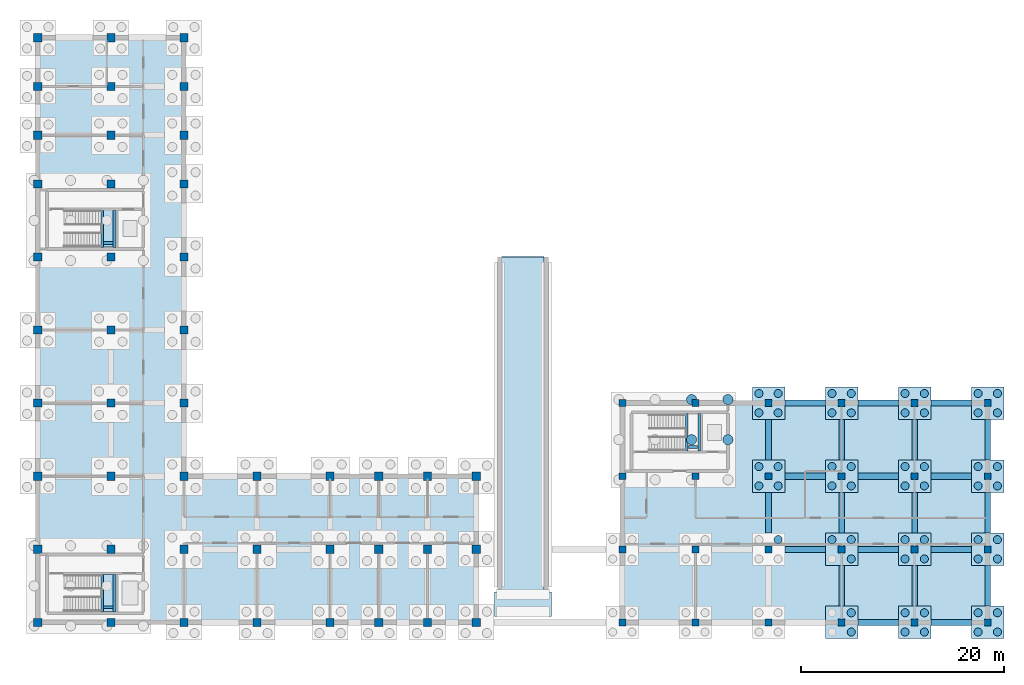
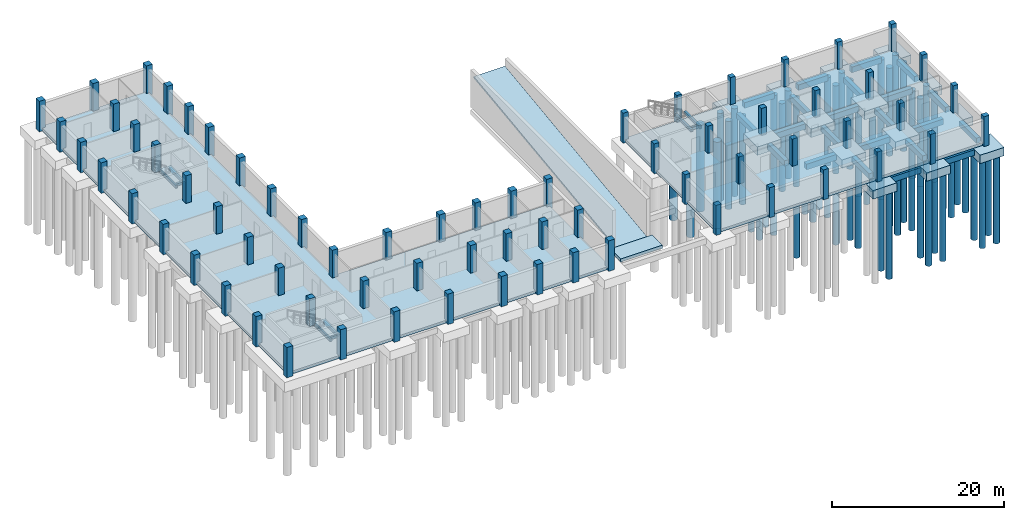
# One storey, part 3 of 10: 69 columns, 58 piles, 36 footings, 9 beams, 6 slabs, 2 elements without a shape of their own.
"""IFC4 building model written with IfcOpenShell, lengths in metres."""

from ifc_helpers import new_model, si_unit, direction, frame, origin, origin_2d, place, context, subcontext, project, spatial, polyline, rectangle, circle, outline, extrude, material, layer, layer_set, material_profile, profile_set, type_object, element, aggregate, save


model = new_model("IFC4")

# Units and contexts
model_context = context("Model", 3, precision=1e-05, world=origin(), true_north=direction((0.0, 1.0)))
body_context = subcontext(model_context, "Body", "Model", "MODEL_VIEW")
ifc_project = project(units=[si_unit("LENGTHUNIT", "METRE"), si_unit("AREAUNIT", "SQUARE_METRE"), si_unit("VOLUMEUNIT", "CUBIC_METRE"), si_unit("PLANEANGLEUNIT", "RADIAN"), si_unit("MASSUNIT", "GRAM", prefix="KILO")], contexts=[model_context])

# Site, building, storey
site_placement = place(None, origin())
site = spatial("IfcSite", under=ifc_project, at=site_placement, CompositionType="ELEMENT")
building_placement = place(site_placement, origin())
building = spatial("IfcBuilding", under=site, at=building_placement, Name="Zornivar Specialist Clinic", CompositionType="ELEMENT")
storey_placement = place(building_placement, frame((0.0, 0.0, -4.199951171875)))
storey = spatial("IfcBuildingStorey", under=building, at=storey_placement, Name="B1", CompositionType="ELEMENT", Elevation=-4.199951171875)

# Footings
ifc_material_1 = material(Name="Concrete C30/37", Category="concrete")
ifc_material_profile_1 = material_profile(ifc_material_1, rectangle(XDim=0.550048828125, YDim=0.75, at=origin_2d()), Name="RC 550x750")
ifc_profile_set_1 = profile_set([ifc_material_profile_1], Name="Concrete C30/37")
footing_type_1 = type_object("IfcFootingType", Name="FTG-GB-550x750", PredefinedType="FOOTING_BEAM", material=ifc_profile_set_1)
for number, where, z_axis, x_axis, name in (
    (1, (72.0, 8.800048828125, -0.775146484375), (0.0, 1.0, 0.0), (-1.0, 0.0, 0.0), "gb:B1:y:720:88"),
    (2, (72.0, 16.0, -0.775146484375), (0.0, 1.0, 0.0), (-1.0, 0.0, 0.0), "gb:B1:y:720:160"),
    (3, (79.199951171875, 1.60009765625, -0.775146484375), (0.0, 1.0, 0.0), (-1.0, 0.0, 0.0), "gb:B1:y:792:16"),
    (4, (79.199951171875, 8.800048828125, -0.775146484375), (0.0, 1.0, 0.0), (-1.0, 0.0, 0.0), "gb:B1:y:792:88"),
    (5, (79.199951171875, 16.0, -0.775146484375), (0.0, 1.0, 0.0), (-1.0, 0.0, 0.0), "gb:B1:y:792:160"),
    (6, (86.39990234375, 1.60009765625, -0.775146484375), (0.0, 1.0, 0.0), (-1.0, 0.0, 0.0), "gb:B1:y:864:16"),
    (7, (86.39990234375, 8.800048828125, -0.775146484375), (0.0, 1.0, 0.0), (-1.0, 0.0, 0.0), "gb:B1:y:864:88"),
    (8, (86.39990234375, 16.0, -0.775146484375), (0.0, 1.0, 0.0), (-1.0, 0.0, 0.0), "gb:B1:y:864:160"),
    (9, (93.60009765625, 1.60009765625, -0.775146484375), (0.0, 1.0, 0.0), (-1.0, 0.0, 0.0), "gb:B1:y:936:16"),
    (10, (93.60009765625, 8.800048828125, -0.775146484375), (0.0, 1.0, 0.0), (-1.0, 0.0, 0.0), "gb:B1:y:936:88"),
    (11, (93.60009765625, 16.0, -0.775146484375), (0.0, 1.0, 0.0), (-1.0, 0.0, 0.0), "gb:B1:y:936:160"),
):
    element("IfcFooting", number, at=place(storey_placement, frame(where, z_axis=z_axis, x_axis=x_axis)), inside=storey, type_object=footing_type_1, Name=name, PredefinedType="FOOTING_BEAM", context=body_context, shape_type="SweptSolid", body=[
        extrude(rectangle(XDim=0.550048828125, YDim=0.75, at=origin_2d()), origin(), (0.0, 0.0, 1.0), 4.0),
    ])
ifc_material_2 = material(Name="Concrete C30/37", Category="concrete")
ifc_material_profile_2 = material_profile(ifc_material_2, rectangle(XDim=0.60009765625, YDim=0.800048828125, at=origin_2d()), Name="RC 600x800")
ifc_profile_set_2 = profile_set([ifc_material_profile_2], Name="Concrete C30/37")
footing_type_2 = type_object("IfcFootingType", Name="FTG-GB-600x800", PredefinedType="FOOTING_BEAM", material=ifc_profile_set_2)
for number, where, z_axis, x_axis, name in (
    (12, (80.800048828125, 0.0, -0.800048828125), (1.0, 0.0, 0.0), (0.0, 1.0, 0.0), "gb:B1:x:0:808"),
    (13, (88.0, 0.0, -0.800048828125), (1.0, 0.0, 0.0), (0.0, 1.0, 0.0), "gb:B1:x:0:880"),
    (14, (73.60009765625, 7.199951171875, -0.800048828125), (1.0, 0.0, 0.0), (0.0, 1.0, 0.0), "gb:B1:x:72:736"),
    (15, (80.800048828125, 7.199951171875, -0.800048828125), (1.0, 0.0, 0.0), (0.0, 1.0, 0.0), "gb:B1:x:72:808"),
    (16, (88.0, 7.199951171875, -0.800048828125), (1.0, 0.0, 0.0), (0.0, 1.0, 0.0), "gb:B1:x:72:880"),
    (17, (73.60009765625, 14.39990234375, -0.800048828125), (1.0, 0.0, 0.0), (0.0, 1.0, 0.0), "gb:B1:x:144:736"),
    (18, (80.800048828125, 14.39990234375, -0.800048828125), (1.0, 0.0, 0.0), (0.0, 1.0, 0.0), "gb:B1:x:144:808"),
    (19, (88.0, 14.39990234375, -0.800048828125), (1.0, 0.0, 0.0), (0.0, 1.0, 0.0), "gb:B1:x:144:880"),
    (20, (73.60009765625, 21.60009765625, -0.800048828125), (1.0, 0.0, 0.0), (0.0, 1.0, 0.0), "gb:B1:x:216:736"),
    (21, (80.800048828125, 21.60009765625, -0.800048828125), (1.0, 0.0, 0.0), (0.0, 1.0, 0.0), "gb:B1:x:216:808"),
    (22, (88.0, 21.60009765625, -0.800048828125), (1.0, 0.0, 0.0), (0.0, 1.0, 0.0), "gb:B1:x:216:880"),
):
    element("IfcFooting", number, at=place(storey_placement, frame(where, z_axis=z_axis, x_axis=x_axis)), inside=storey, type_object=footing_type_2, Name=name, PredefinedType="FOOTING_BEAM", context=body_context, shape_type="SweptSolid", body=[
        extrude(rectangle(XDim=0.60009765625, YDim=0.800048828125, at=origin_2d()), origin(), (0.0, 0.0, 1.0), 4.0),
    ])
ifc_material_3 = material(Name="Concrete C30/37", Category="concrete")
footing_type_3 = type_object("IfcFootingType", Name="FTG-PC-4P-320x320x120", PredefinedType="PILE_CAP", material=ifc_material_3)
for number, where, z_axis, x_axis, name in (
    (23, (72.0, 14.39990234375, -1.60009765625), (0.0, 0.0, 1.0), (1.0, 0.0, 0.0), "ftg:V3:72000_14400"),
    (24, (72.0, 21.60009765625, -1.60009765625), (0.0, 0.0, 1.0), (1.0, 0.0, 0.0), "ftg:V3:72000_21600"),
    (25, (79.199951171875, 0.0, -1.60009765625), (0.0, 0.0, 1.0), (1.0, 0.0, 0.0), "ftg:V3:79200_0"),
    (26, (79.199951171875, 7.199951171875, -1.60009765625), (0.0, 0.0, 1.0), (1.0, 0.0, 0.0), "ftg:V3:79200_7200"),
    (27, (79.199951171875, 14.39990234375, -1.60009765625), (0.0, 0.0, 1.0), (1.0, 0.0, 0.0), "ftg:V3:79200_14400"),
    (28, (79.199951171875, 21.60009765625, -1.60009765625), (0.0, 0.0, 1.0), (1.0, 0.0, 0.0), "ftg:V3:79200_21600"),
    (29, (86.39990234375, 0.0, -1.60009765625), (0.0, 0.0, 1.0), (1.0, 0.0, 0.0), "ftg:V3:86400_0"),
    (30, (86.39990234375, 7.199951171875, -1.60009765625), (0.0, 0.0, 1.0), (1.0, 0.0, 0.0), "ftg:V3:86400_7200"),
    (31, (86.39990234375, 14.39990234375, -1.60009765625), (0.0, 0.0, 1.0), (1.0, 0.0, 0.0), "ftg:V3:86400_14400"),
    (32, (86.39990234375, 21.60009765625, -1.60009765625), (0.0, 0.0, 1.0), (1.0, 0.0, 0.0), "ftg:V3:86400_21600"),
    (33, (93.60009765625, 0.0, -1.60009765625), (0.0, 0.0, 1.0), (1.0, 0.0, 0.0), "ftg:V3:93600_0"),
    (34, (93.60009765625, 7.199951171875, -1.60009765625), (0.0, 0.0, 1.0), (1.0, 0.0, 0.0), "ftg:V3:93600_7200"),
    (35, (93.60009765625, 14.39990234375, -1.60009765625), (0.0, 0.0, 1.0), (1.0, 0.0, 0.0), "ftg:V3:93600_14400"),
    (36, (93.60009765625, 21.60009765625, -1.60009765625), (0.0, 0.0, 1.0), (1.0, 0.0, 0.0), "ftg:V3:93600_21600"),
):
    element("IfcFooting", number, at=place(storey_placement, frame(where, z_axis=z_axis, x_axis=x_axis)), inside=storey, type_object=footing_type_3, Name=name, PredefinedType="PILE_CAP", context=body_context, shape_type="SweptSolid", body=[
        extrude(rectangle(XDim=3.199951171875, YDim=3.199951171875, at=origin_2d()), origin(), (0.0, 0.0, 1.0), 1.199951171875),
    ])

# Piles
ifc_material_4 = material(Name="Concrete C30/37", Category="concrete")
ifc_material_profile_3 = material_profile(ifc_material_4, circle(Radius=0.5, at=origin_2d()), Name="PILE D1000")
ifc_profile_set_3 = profile_set([ifc_material_profile_3], Name="Concrete C30/37")
pile_type_1 = type_object("IfcPileType", Name="PILE-BORED-1000", PredefinedType="BORED", material=ifc_profile_set_3)
for number, where, z_axis, x_axis, name in (
    (37, (64.4169921875, 18.0, -1.699951171875), (0.0, 0.0, -1.0), (1.0, 0.0, 0.0), "pile:ftg:core:C5:7"),
    (38, (64.4169921875, 21.949951171875, -1.699951171875), (0.0, 0.0, -1.0), (1.0, 0.0, 0.0), "pile:ftg:core:C5:8"),
    (39, (68.0, 18.0, -1.699951171875), (0.0, 0.0, -1.0), (1.0, 0.0, 0.0), "pile:ftg:core:C5:10"),
    (40, (68.0, 21.949951171875, -1.699951171875), (0.0, 0.0, -1.0), (1.0, 0.0, 0.0), "pile:ftg:core:C5:11"),
):
    element("IfcPile", number, at=place(storey_placement, frame(where, z_axis=z_axis, x_axis=x_axis)), inside=storey, type_object=pile_type_1, Name=name, PredefinedType="BORED", context=body_context, shape_type="SweptSolid", body=[
        extrude(circle(Radius=0.5, at=origin_2d()), origin(), (0.0, 0.0, 1.0), 12.300048828125),
    ])
ifc_material_5 = material(Name="Concrete C30/37", Category="concrete")
ifc_material_profile_4 = material_profile(ifc_material_5, circle(Radius=0.39990234375, at=origin_2d()), Name="PILE D800")
ifc_profile_set_4 = profile_set([ifc_material_profile_4], Name="Concrete C30/37")
pile_type_2 = type_object("IfcPileType", Name="PILE-BORED-800", PredefinedType="BORED", material=ifc_profile_set_4)
for number, where, z_axis, x_axis, name in (
    (41, (72.949951171875, 8.14990234375, -1.5), (0.0, 0.0, -1.0), (1.0, 0.0, 0.0), "pile:ftg:V3:72000_7200:3"),
    (42, (71.050048828125, 13.449951171875, -1.5), (0.0, 0.0, -1.0), (1.0, 0.0, 0.0), "pile:ftg:V3:72000_14400:0"),
    (43, (72.949951171875, 13.449951171875, -1.5), (0.0, 0.0, -1.0), (1.0, 0.0, 0.0), "pile:ftg:V3:72000_14400:1"),
    (44, (71.050048828125, 15.35009765625, -1.5), (0.0, 0.0, -1.0), (1.0, 0.0, 0.0), "pile:ftg:V3:72000_14400:2"),
    (45, (72.949951171875, 15.35009765625, -1.5), (0.0, 0.0, -1.0), (1.0, 0.0, 0.0), "pile:ftg:V3:72000_14400:3"),
    (46, (71.050048828125, 20.64990234375, -1.5), (0.0, 0.0, -1.0), (1.0, 0.0, 0.0), "pile:ftg:V3:72000_21600:0"),
    (47, (72.949951171875, 20.64990234375, -1.5), (0.0, 0.0, -1.0), (1.0, 0.0, 0.0), "pile:ftg:V3:72000_21600:1"),
    (48, (71.050048828125, 22.550048828125, -1.5), (0.0, 0.0, -1.0), (1.0, 0.0, 0.0), "pile:ftg:V3:72000_21600:2"),
    (49, (72.949951171875, 22.550048828125, -1.5), (0.0, 0.0, -1.0), (1.0, 0.0, 0.0), "pile:ftg:V3:72000_21600:3"),
    (50, (80.14990234375, -0.949951171875, -1.5), (0.0, 0.0, -1.0), (1.0, 0.0, 0.0), "pile:ftg:V3:79200_0:1"),
    (51, (80.14990234375, 0.949951171875, -1.5), (0.0, 0.0, -1.0), (1.0, 0.0, 0.0), "pile:ftg:V3:79200_0:3"),
    (52, (80.14990234375, 6.25, -1.5), (0.0, 0.0, -1.0), (1.0, 0.0, 0.0), "pile:ftg:V3:79200_7200:1"),
    (53, (78.25, 8.14990234375, -1.5), (0.0, 0.0, -1.0), (1.0, 0.0, 0.0), "pile:ftg:V3:79200_7200:2"),
    (54, (80.14990234375, 8.14990234375, -1.5), (0.0, 0.0, -1.0), (1.0, 0.0, 0.0), "pile:ftg:V3:79200_7200:3"),
    (55, (78.25, 13.449951171875, -1.5), (0.0, 0.0, -1.0), (1.0, 0.0, 0.0), "pile:ftg:V3:79200_14400:0"),
    (56, (80.14990234375, 13.449951171875, -1.5), (0.0, 0.0, -1.0), (1.0, 0.0, 0.0), "pile:ftg:V3:79200_14400:1"),
    (57, (78.25, 15.35009765625, -1.5), (0.0, 0.0, -1.0), (1.0, 0.0, 0.0), "pile:ftg:V3:79200_14400:2"),
    (58, (80.14990234375, 15.35009765625, -1.5), (0.0, 0.0, -1.0), (1.0, 0.0, 0.0), "pile:ftg:V3:79200_14400:3"),
    (59, (78.25, 20.64990234375, -1.5), (0.0, 0.0, -1.0), (1.0, 0.0, 0.0), "pile:ftg:V3:79200_21600:0"),
    (60, (80.14990234375, 20.64990234375, -1.5), (0.0, 0.0, -1.0), (1.0, 0.0, 0.0), "pile:ftg:V3:79200_21600:1"),
    (61, (78.25, 22.550048828125, -1.5), (0.0, 0.0, -1.0), (1.0, 0.0, 0.0), "pile:ftg:V3:79200_21600:2"),
    (62, (80.14990234375, 22.550048828125, -1.5), (0.0, 0.0, -1.0), (1.0, 0.0, 0.0), "pile:ftg:V3:79200_21600:3"),
    (63, (85.449951171875, -0.949951171875, -1.5), (0.0, 0.0, -1.0), (1.0, 0.0, 0.0), "pile:ftg:V3:86400_0:0"),
    (64, (87.35009765625, -0.949951171875, -1.5), (0.0, 0.0, -1.0), (1.0, 0.0, 0.0), "pile:ftg:V3:86400_0:1"),
    (65, (85.449951171875, 0.949951171875, -1.5), (0.0, 0.0, -1.0), (1.0, 0.0, 0.0), "pile:ftg:V3:86400_0:2"),
    (66, (87.35009765625, 0.949951171875, -1.5), (0.0, 0.0, -1.0), (1.0, 0.0, 0.0), "pile:ftg:V3:86400_0:3"),
    (67, (85.449951171875, 6.25, -1.5), (0.0, 0.0, -1.0), (1.0, 0.0, 0.0), "pile:ftg:V3:86400_7200:0"),
    (68, (87.35009765625, 6.25, -1.5), (0.0, 0.0, -1.0), (1.0, 0.0, 0.0), "pile:ftg:V3:86400_7200:1"),
    (69, (85.449951171875, 8.14990234375, -1.5), (0.0, 0.0, -1.0), (1.0, 0.0, 0.0), "pile:ftg:V3:86400_7200:2"),
    (70, (87.35009765625, 8.14990234375, -1.5), (0.0, 0.0, -1.0), (1.0, 0.0, 0.0), "pile:ftg:V3:86400_7200:3"),
    (71, (85.449951171875, 13.449951171875, -1.5), (0.0, 0.0, -1.0), (1.0, 0.0, 0.0), "pile:ftg:V3:86400_14400:0"),
    (72, (87.35009765625, 13.449951171875, -1.5), (0.0, 0.0, -1.0), (1.0, 0.0, 0.0), "pile:ftg:V3:86400_14400:1"),
    (73, (85.449951171875, 15.35009765625, -1.5), (0.0, 0.0, -1.0), (1.0, 0.0, 0.0), "pile:ftg:V3:86400_14400:2"),
    (74, (87.35009765625, 15.35009765625, -1.5), (0.0, 0.0, -1.0), (1.0, 0.0, 0.0), "pile:ftg:V3:86400_14400:3"),
    (75, (85.449951171875, 20.64990234375, -1.5), (0.0, 0.0, -1.0), (1.0, 0.0, 0.0), "pile:ftg:V3:86400_21600:0"),
    (76, (87.35009765625, 20.64990234375, -1.5), (0.0, 0.0, -1.0), (1.0, 0.0, 0.0), "pile:ftg:V3:86400_21600:1"),
    (77, (85.449951171875, 22.550048828125, -1.5), (0.0, 0.0, -1.0), (1.0, 0.0, 0.0), "pile:ftg:V3:86400_21600:2"),
    (78, (87.35009765625, 22.550048828125, -1.5), (0.0, 0.0, -1.0), (1.0, 0.0, 0.0), "pile:ftg:V3:86400_21600:3"),
    (79, (92.64990234375, -0.949951171875, -1.5), (0.0, 0.0, -1.0), (1.0, 0.0, 0.0), "pile:ftg:V3:93600_0:0"),
    (80, (94.550048828125, -0.949951171875, -1.5), (0.0, 0.0, -1.0), (1.0, 0.0, 0.0), "pile:ftg:V3:93600_0:1"),
    (81, (92.64990234375, 0.949951171875, -1.5), (0.0, 0.0, -1.0), (1.0, 0.0, 0.0), "pile:ftg:V3:93600_0:2"),
    (82, (94.550048828125, 0.949951171875, -1.5), (0.0, 0.0, -1.0), (1.0, 0.0, 0.0), "pile:ftg:V3:93600_0:3"),
    (83, (92.64990234375, 6.25, -1.5), (0.0, 0.0, -1.0), (1.0, 0.0, 0.0), "pile:ftg:V3:93600_7200:0"),
    (84, (94.550048828125, 6.25, -1.5), (0.0, 0.0, -1.0), (1.0, 0.0, 0.0), "pile:ftg:V3:93600_7200:1"),
    (85, (92.64990234375, 8.14990234375, -1.5), (0.0, 0.0, -1.0), (1.0, 0.0, 0.0), "pile:ftg:V3:93600_7200:2"),
    (86, (94.550048828125, 8.14990234375, -1.5), (0.0, 0.0, -1.0), (1.0, 0.0, 0.0), "pile:ftg:V3:93600_7200:3"),
    (87, (92.64990234375, 13.449951171875, -1.5), (0.0, 0.0, -1.0), (1.0, 0.0, 0.0), "pile:ftg:V3:93600_14400:0"),
    (88, (94.550048828125, 13.449951171875, -1.5), (0.0, 0.0, -1.0), (1.0, 0.0, 0.0), "pile:ftg:V3:93600_14400:1"),
    (89, (92.64990234375, 15.35009765625, -1.5), (0.0, 0.0, -1.0), (1.0, 0.0, 0.0), "pile:ftg:V3:93600_14400:2"),
    (90, (94.550048828125, 15.35009765625, -1.5), (0.0, 0.0, -1.0), (1.0, 0.0, 0.0), "pile:ftg:V3:93600_14400:3"),
    (91, (92.64990234375, 20.64990234375, -1.5), (0.0, 0.0, -1.0), (1.0, 0.0, 0.0), "pile:ftg:V3:93600_21600:0"),
    (92, (94.550048828125, 20.64990234375, -1.5), (0.0, 0.0, -1.0), (1.0, 0.0, 0.0), "pile:ftg:V3:93600_21600:1"),
    (93, (92.64990234375, 22.550048828125, -1.5), (0.0, 0.0, -1.0), (1.0, 0.0, 0.0), "pile:ftg:V3:93600_21600:2"),
    (94, (94.550048828125, 22.550048828125, -1.5), (0.0, 0.0, -1.0), (1.0, 0.0, 0.0), "pile:ftg:V3:93600_21600:3"),
):
    element("IfcPile", number, at=place(storey_placement, frame(where, z_axis=z_axis, x_axis=x_axis)), inside=storey, type_object=pile_type_2, Name=name, PredefinedType="BORED", context=body_context, shape_type="SweptSolid", body=[
        extrude(circle(Radius=0.39990234375, at=origin_2d()), origin(), (0.0, 0.0, 1.0), 12.5),
    ])

# Columns
ifc_material_6 = material(Name="Concrete C35/45", Category="concrete")
ifc_material_profile_5 = material_profile(ifc_material_6, rectangle(XDim=0.679931640625, YDim=0.679931640625, at=origin_2d()), Name="RC 680x680")
ifc_profile_set_5 = profile_set([ifc_material_profile_5], Name="Concrete C35/45")
column_type_1 = type_object("IfcColumnType", Name="COL-RC-680", PredefinedType="COLUMN", material=ifc_profile_set_5)
for number, where, z_axis, x_axis, name in (
    (95, (57.60009765625, 0.0, -0.400146484375), (0.0, 0.0, 1.0), (1.0, 0.0, 0.0), "col:V3:B1:576_0"),
    (96, (57.60009765625, 7.199951171875, -0.400146484375), (0.0, 0.0, 1.0), (1.0, 0.0, 0.0), "col:V3:B1:576_72"),
    (97, (57.60009765625, 14.39990234375, -0.400146484375), (0.0, 0.0, 1.0), (1.0, 0.0, 0.0), "col:V3:B1:576_144"),
    (98, (57.60009765625, 21.60009765625, -0.400146484375), (0.0, 0.0, 1.0), (1.0, 0.0, 0.0), "col:V3:B1:576_216"),
    (99, (64.800048828125, 0.0, -0.400146484375), (0.0, 0.0, 1.0), (1.0, 0.0, 0.0), "col:V3:B1:648_0"),
    (100, (64.800048828125, 7.199951171875, -0.400146484375), (0.0, 0.0, 1.0), (1.0, 0.0, 0.0), "col:V3:B1:648_72"),
    (101, (64.800048828125, 14.39990234375, -0.400146484375), (0.0, 0.0, 1.0), (1.0, 0.0, 0.0), "col:V3:B1:648_144"),
    (102, (64.800048828125, 21.60009765625, -0.400146484375), (0.0, 0.0, 1.0), (1.0, 0.0, 0.0), "col:V3:B1:648_216"),
    (103, (72.0, 0.0, -0.400146484375), (0.0, 0.0, 1.0), (1.0, 0.0, 0.0), "col:V3:B1:720_0"),
    (104, (72.0, 7.199951171875, -0.400146484375), (0.0, 0.0, 1.0), (1.0, 0.0, 0.0), "col:V3:B1:720_72"),
    (105, (72.0, 14.39990234375, -0.400146484375), (0.0, 0.0, 1.0), (1.0, 0.0, 0.0), "col:V3:B1:720_144"),
    (106, (72.0, 21.60009765625, -0.400146484375), (0.0, 0.0, 1.0), (1.0, 0.0, 0.0), "col:V3:B1:720_216"),
    (107, (79.199951171875, 0.0, -0.400146484375), (0.0, 0.0, 1.0), (1.0, 0.0, 0.0), "col:V3:B1:792_0"),
    (108, (79.199951171875, 7.199951171875, -0.400146484375), (0.0, 0.0, 1.0), (1.0, 0.0, 0.0), "col:V3:B1:792_72"),
    (109, (79.199951171875, 14.39990234375, -0.400146484375), (0.0, 0.0, 1.0), (1.0, 0.0, 0.0), "col:V3:B1:792_144"),
    (110, (79.199951171875, 21.60009765625, -0.400146484375), (0.0, 0.0, 1.0), (1.0, 0.0, 0.0), "col:V3:B1:792_216"),
    (111, (86.39990234375, 0.0, -0.400146484375), (0.0, 0.0, 1.0), (1.0, 0.0, 0.0), "col:V3:B1:864_0"),
    (112, (86.39990234375, 7.199951171875, -0.400146484375), (0.0, 0.0, 1.0), (1.0, 0.0, 0.0), "col:V3:B1:864_72"),
    (113, (86.39990234375, 14.39990234375, -0.400146484375), (0.0, 0.0, 1.0), (1.0, 0.0, 0.0), "col:V3:B1:864_144"),
    (114, (86.39990234375, 21.60009765625, -0.400146484375), (0.0, 0.0, 1.0), (1.0, 0.0, 0.0), "col:V3:B1:864_216"),
    (115, (93.60009765625, 0.0, -0.400146484375), (0.0, 0.0, 1.0), (1.0, 0.0, 0.0), "col:V3:B1:936_0"),
    (116, (93.60009765625, 7.199951171875, -0.400146484375), (0.0, 0.0, 1.0), (1.0, 0.0, 0.0), "col:V3:B1:936_72"),
    (117, (93.60009765625, 14.39990234375, -0.400146484375), (0.0, 0.0, 1.0), (1.0, 0.0, 0.0), "col:V3:B1:936_144"),
    (118, (93.60009765625, 21.60009765625, -0.400146484375), (0.0, 0.0, 1.0), (1.0, 0.0, 0.0), "col:V3:B1:936_216"),
):
    element("IfcColumn", number, at=place(storey_placement, frame(where, z_axis=z_axis, x_axis=x_axis)), inside=storey, type_object=column_type_1, Name=name, PredefinedType="COLUMN", context=body_context, shape_type="SweptSolid", body=[
        extrude(rectangle(XDim=0.679931640625, YDim=0.679931640625, at=origin_2d()), origin(), (0.0, 0.0, 1.0), 4.25),
    ])
ifc_material_7 = material(Name="Concrete C35/45", Category="concrete")
ifc_material_profile_6 = material_profile(ifc_material_7, rectangle(XDim=0.800048828125, YDim=0.800048828125, at=origin_2d()), Name="RC 800x800")
ifc_profile_set_6 = profile_set([ifc_material_profile_6], Name="Concrete C35/45")
column_type_2 = type_object("IfcColumnType", Name="COL-RC-800", PredefinedType="COLUMN", material=ifc_profile_set_6)
for number, where, z_axis, x_axis, name in (
    (119, (0.0, 0.0, -0.400146484375), (0.0, 0.0, 1.0), (1.0, 0.0, 0.0), "col:V2:B1:0_0"),
    (120, (0.0, 7.199951171875, -0.400146484375), (0.0, 0.0, 1.0), (1.0, 0.0, 0.0), "col:V2:B1:0_72"),
    (121, (0.0, 14.39990234375, -0.400146484375), (0.0, 0.0, 1.0), (1.0, 0.0, 0.0), "col:V2:B1:0_144"),
    (122, (0.0, 21.60009765625, -0.400146484375), (0.0, 0.0, 1.0), (1.0, 0.0, 0.0), "col:V2:B1:0_216"),
    (123, (0.0, 28.800048828125, -0.400146484375), (0.0, 0.0, 1.0), (1.0, 0.0, 0.0), "col:V2:B1:0_288"),
    (124, (0.0, 36.0, -0.400146484375), (0.0, 0.0, 1.0), (1.0, 0.0, 0.0), "col:V2:B1:0_360"),
    (125, (0.0, 43.199951171875, -0.400146484375), (0.0, 0.0, 1.0), (1.0, 0.0, 0.0), "col:V2:B1:0_432"),
    (126, (0.0, 48.0, -0.400146484375), (0.0, 0.0, 1.0), (1.0, 0.0, 0.0), "col:V2:B1:0_480"),
    (127, (0.0, 52.800048828125, -0.400146484375), (0.0, 0.0, 1.0), (1.0, 0.0, 0.0), "col:V2:B1:0_528"),
    (128, (0.0, 57.60009765625, -0.400146484375), (0.0, 0.0, 1.0), (1.0, 0.0, 0.0), "col:V2:B1:0_576"),
    (129, (7.199951171875, 0.0, -0.400146484375), (0.0, 0.0, 1.0), (1.0, 0.0, 0.0), "col:V2:B1:72_0"),
    (130, (7.199951171875, 7.199951171875, -0.400146484375), (0.0, 0.0, 1.0), (1.0, 0.0, 0.0), "col:V2:B1:72_72"),
    (131, (7.199951171875, 14.39990234375, -0.400146484375), (0.0, 0.0, 1.0), (1.0, 0.0, 0.0), "col:V2:B1:72_144"),
    (132, (7.199951171875, 21.60009765625, -0.400146484375), (0.0, 0.0, 1.0), (1.0, 0.0, 0.0), "col:V2:B1:72_216"),
    (133, (7.199951171875, 28.800048828125, -0.400146484375), (0.0, 0.0, 1.0), (1.0, 0.0, 0.0), "col:V2:B1:72_288"),
    (134, (7.199951171875, 36.0, -0.400146484375), (0.0, 0.0, 1.0), (1.0, 0.0, 0.0), "col:V2:B1:72_360"),
    (135, (7.199951171875, 43.199951171875, -0.400146484375), (0.0, 0.0, 1.0), (1.0, 0.0, 0.0), "col:V2:B1:72_432"),
    (136, (7.199951171875, 48.0, -0.400146484375), (0.0, 0.0, 1.0), (1.0, 0.0, 0.0), "col:V2:B1:72_480"),
    (137, (7.199951171875, 52.800048828125, -0.400146484375), (0.0, 0.0, 1.0), (1.0, 0.0, 0.0), "col:V2:B1:72_528"),
    (138, (7.199951171875, 57.60009765625, -0.400146484375), (0.0, 0.0, 1.0), (1.0, 0.0, 0.0), "col:V2:B1:72_576"),
    (139, (14.39990234375, 0.0, -0.400146484375), (0.0, 0.0, 1.0), (1.0, 0.0, 0.0), "col:V2:B1:144_0"),
    (140, (14.39990234375, 7.199951171875, -0.400146484375), (0.0, 0.0, 1.0), (1.0, 0.0, 0.0), "col:V2:B1:144_72"),
    (141, (14.39990234375, 14.39990234375, -0.400146484375), (0.0, 0.0, 1.0), (1.0, 0.0, 0.0), "col:V2:B1:144_144"),
    (142, (14.39990234375, 21.60009765625, -0.400146484375), (0.0, 0.0, 1.0), (1.0, 0.0, 0.0), "col:V2:B1:144_216"),
    (143, (14.39990234375, 28.800048828125, -0.400146484375), (0.0, 0.0, 1.0), (1.0, 0.0, 0.0), "col:V2:B1:144_288"),
    (144, (14.39990234375, 36.0, -0.400146484375), (0.0, 0.0, 1.0), (1.0, 0.0, 0.0), "col:V2:B1:144_360"),
    (145, (14.39990234375, 43.199951171875, -0.400146484375), (0.0, 0.0, 1.0), (1.0, 0.0, 0.0), "col:V2:B1:144_432"),
    (146, (14.39990234375, 48.0, -0.400146484375), (0.0, 0.0, 1.0), (1.0, 0.0, 0.0), "col:V2:B1:144_480"),
    (147, (14.39990234375, 52.800048828125, -0.400146484375), (0.0, 0.0, 1.0), (1.0, 0.0, 0.0), "col:V2:B1:144_528"),
    (148, (14.39990234375, 57.60009765625, -0.400146484375), (0.0, 0.0, 1.0), (1.0, 0.0, 0.0), "col:V2:B1:144_576"),
    (149, (21.60009765625, 0.0, -0.400146484375), (0.0, 0.0, 1.0), (1.0, 0.0, 0.0), "col:V2:B1:216_0"),
    (150, (21.60009765625, 7.199951171875, -0.400146484375), (0.0, 0.0, 1.0), (1.0, 0.0, 0.0), "col:V2:B1:216_72"),
    (151, (21.60009765625, 14.39990234375, -0.400146484375), (0.0, 0.0, 1.0), (1.0, 0.0, 0.0), "col:V2:B1:216_144"),
    (152, (28.800048828125, 0.0, -0.400146484375), (0.0, 0.0, 1.0), (1.0, 0.0, 0.0), "col:V2:B1:288_0"),
    (153, (28.800048828125, 7.199951171875, -0.400146484375), (0.0, 0.0, 1.0), (1.0, 0.0, 0.0), "col:V2:B1:288_72"),
    (154, (28.800048828125, 14.39990234375, -0.400146484375), (0.0, 0.0, 1.0), (1.0, 0.0, 0.0), "col:V2:B1:288_144"),
    (155, (33.60009765625, 0.0, -0.400146484375), (0.0, 0.0, 1.0), (1.0, 0.0, 0.0), "col:V2:B1:336_0"),
    (156, (33.60009765625, 7.199951171875, -0.400146484375), (0.0, 0.0, 1.0), (1.0, 0.0, 0.0), "col:V2:B1:336_72"),
    (157, (33.60009765625, 14.39990234375, -0.400146484375), (0.0, 0.0, 1.0), (1.0, 0.0, 0.0), "col:V2:B1:336_144"),
    (158, (38.39990234375, 0.0, -0.400146484375), (0.0, 0.0, 1.0), (1.0, 0.0, 0.0), "col:V2:B1:384_0"),
    (159, (38.39990234375, 7.199951171875, -0.400146484375), (0.0, 0.0, 1.0), (1.0, 0.0, 0.0), "col:V2:B1:384_72"),
    (160, (38.39990234375, 14.39990234375, -0.400146484375), (0.0, 0.0, 1.0), (1.0, 0.0, 0.0), "col:V2:B1:384_144"),
    (161, (43.199951171875, 0.0, -0.400146484375), (0.0, 0.0, 1.0), (1.0, 0.0, 0.0), "col:V2:B1:432_0"),
    (162, (43.199951171875, 7.199951171875, -0.400146484375), (0.0, 0.0, 1.0), (1.0, 0.0, 0.0), "col:V2:B1:432_72"),
    (163, (43.199951171875, 14.39990234375, -0.400146484375), (0.0, 0.0, 1.0), (1.0, 0.0, 0.0), "col:V2:B1:432_144"),
):
    element("IfcColumn", number, at=place(storey_placement, frame(where, z_axis=z_axis, x_axis=x_axis)), inside=storey, type_object=column_type_2, Name=name, PredefinedType="COLUMN", context=body_context, shape_type="SweptSolid", body=[
        extrude(rectangle(XDim=0.800048828125, YDim=0.800048828125, at=origin_2d()), origin(), (0.0, 0.0, 1.0), 4.320068359375),
    ])

# Beams
ifc_material_8 = material(Name="Concrete C30/37", Category="concrete")
ifc_material_profile_7 = material_profile(ifc_material_8, rectangle(XDim=0.260009765625, YDim=0.340087890625, at=origin_2d()), Name="RC 260x340")
ifc_profile_set_7 = profile_set([ifc_material_profile_7], Name="Concrete C30/37")
beam_type = type_object("IfcBeamType", Name="BM-LAND-260x340", PredefinedType="BEAM", material=ifc_profile_set_7)
for number, where, z_axis, x_axis, name in (
    (164, (6.360107421875, 1.0400390625, 1.719970703125), (0.0, 1.0, 0.0), (-1.0, 0.0, 0.0), "bm:stair:C1:B1:lW"),
    (165, (7.56005859375, 1.0400390625, 1.719970703125), (0.0, 1.0, 0.0), (-1.0, 0.0, 0.0), "bm:stair:C1:B1:lE"),
):
    element("IfcBeam", number, at=place(storey_placement, frame(where, z_axis=z_axis, x_axis=x_axis)), inside=storey, type_object=beam_type, Name=name, PredefinedType="BEAM", context=body_context, shape_type="SweptSolid", body=[
        extrude(rectangle(XDim=0.260009765625, YDim=0.340087890625, at=origin_2d()), origin(), (0.0, 0.0, 1.0), 3.659912109375),
    ])
beam_1_placement = place(storey_placement, frame((6.4951171875, 1.47998046875, 1.719970703125), z_axis=(1.0, 0.0, 0.0), x_axis=(0.0, 1.0, 0.0)))
element("IfcBeam", 166, at=beam_1_placement, inside=storey, type_object=beam_type, Name="bm:stair:C1:B1:lS", PredefinedType="BEAM", context=body_context, shape_type="SweptSolid", body=[
    extrude(rectangle(XDim=0.260009765625, YDim=0.340087890625, at=origin_2d()), origin(), (0.0, 0.0, 1.0), 0.929931640625),
])
for number, where, z_axis, x_axis, name in (
    (167, (6.360107421875, 36.93994140625, 1.719970703125), (0.0, 1.0, 0.0), (-1.0, 0.0, 0.0), "bm:stair:C2:B1:lW"),
    (168, (7.56005859375, 36.93994140625, 1.719970703125), (0.0, 1.0, 0.0), (-1.0, 0.0, 0.0), "bm:stair:C2:B1:lE"),
):
    element("IfcBeam", number, at=place(storey_placement, frame(where, z_axis=z_axis, x_axis=x_axis)), inside=storey, type_object=beam_type, Name=name, PredefinedType="BEAM", context=body_context, shape_type="SweptSolid", body=[
        extrude(rectangle(XDim=0.260009765625, YDim=0.340087890625, at=origin_2d()), origin(), (0.0, 0.0, 1.0), 3.66015625),
    ])
beam_2_placement = place(storey_placement, frame((6.4951171875, 37.3798828125, 1.719970703125), z_axis=(1.0, 0.0, 0.0), x_axis=(0.0, 1.0, 0.0)))
element("IfcBeam", 169, at=beam_2_placement, inside=storey, type_object=beam_type, Name="bm:stair:C2:B1:lS", PredefinedType="BEAM", context=body_context, shape_type="SweptSolid", body=[
    extrude(rectangle(XDim=0.260009765625, YDim=0.340087890625, at=origin_2d()), origin(), (0.0, 0.0, 1.0), 0.929931640625),
])
for number, where, z_axis, x_axis, name in (
    (170, (63.9599609375, 16.89990234375, 1.719970703125), (0.0, 1.0, 0.0), (-1.0, 0.0, 0.0), "bm:stair:C5:B1:lW"),
    (171, (65.159912109375, 16.89990234375, 1.719970703125), (0.0, 1.0, 0.0), (-1.0, 0.0, 0.0), "bm:stair:C5:B1:lE"),
):
    element("IfcBeam", number, at=place(storey_placement, frame(where, z_axis=z_axis, x_axis=x_axis)), inside=storey, type_object=beam_type, Name=name, PredefinedType="BEAM", context=body_context, shape_type="SweptSolid", body=[
        extrude(rectangle(XDim=0.260009765625, YDim=0.340087890625, at=origin_2d()), origin(), (0.0, 0.0, 1.0), 3.66015625),
    ])
beam_3_placement = place(storey_placement, frame((64.094970703125, 17.280029296875, 1.719970703125), z_axis=(1.0, 0.0, 0.0), x_axis=(0.0, 1.0, 0.0)))
element("IfcBeam", 172, at=beam_3_placement, inside=storey, type_object=beam_type, Name="bm:stair:C5:B1:lS", PredefinedType="BEAM", context=body_context, shape_type="SweptSolid", body=[
    extrude(rectangle(XDim=0.260009765625, YDim=0.340087890625, at=origin_2d()), origin(), (0.0, 0.0, 1.0), 0.929931640625),
])

# Slabs
ifc_material_9 = material(Name="Concrete C30/37", Category="concrete")
ifc_layer_1 = layer(ifc_material_9, 0.35009765625)
ifc_layer_set_1 = layer_set([ifc_layer_1], Name="Concrete C30/37")
slab_type_1 = type_object("IfcSlabType", Name="SLB-BASE-350", PredefinedType="BASESLAB", material=ifc_layer_set_1)
slab_1_placement = place(storey_placement, frame((0.0, 0.0, -0.449951171875)))
element("IfcSlab", 173, at=slab_1_placement, inside=storey, type_object=slab_type_1, Name="slab:ramp:B1:bot", PredefinedType="BASESLAB", context=body_context, shape_type="SweptSolid", body=[
    extrude(outline(polyline([(45.0, 0.60009765625), (50.60009765625, 0.60009765625), (50.60009765625, 3.0), (45.0, 3.0), (45.0, 0.60009765625)])), origin(), (0.0, 0.0, 1.0), 0.449951171875),
])
ifc_material_10 = material(Name="Concrete C30/37", Category="concrete")
ifc_layer_2 = layer(ifc_material_10, 0.39990234375)
ifc_layer_set_2 = layer_set([ifc_layer_2], Name="Concrete C30/37")
slab_type_2 = type_object("IfcSlabType", Name="SLB-BASE-400", PredefinedType="BASESLAB", material=ifc_layer_set_2)
slab_2_placement = place(storey_placement, frame((0.0, 0.0, -0.400146484375)))
element("IfcSlab", 174, at=slab_2_placement, inside=storey, type_object=slab_type_2, Name="slab:V2:B1:main", PredefinedType="BASESLAB", context=body_context, shape_type="SweptSolid", body=[
    extrude(outline(polyline([(0.0, 0.0), (43.199951171875, 0.0), (43.199951171875, 14.39990234375), (14.39990234375, 14.39990234375), (14.39990234375, 57.60009765625), (0.0, 57.60009765625), (0.0, 0.0)])), origin(), (0.0, 0.0, 1.0), 0.400146484375),
])
slab_3_placement = place(storey_placement, frame((0.0, 0.0, -0.400146484375)))
element("IfcSlab", 175, at=slab_3_placement, inside=storey, type_object=slab_type_2, Name="slab:V3:B1:main", PredefinedType="BASESLAB", context=body_context, shape_type="SweptSolid", body=[
    extrude(outline(polyline([(57.60009765625, 0.0), (93.60009765625, 0.0), (93.60009765625, 21.60009765625), (57.60009765625, 21.60009765625), (57.60009765625, 0.0)])), origin(), (0.0, 0.0, 1.0), 0.400146484375),
])

# Stair, slab
ifc_material_11 = material(Name="Concrete C30/37", Category="concrete")
stair_type = type_object("IfcStairType", Name="STR-CORE-B1-L00", PredefinedType="HALF_TURN_STAIR", material=ifc_material_11)
stair_1_placement = place(storey_placement, origin())
stair_1 = element("IfcStair", 176, at=stair_1_placement, inside=storey, type_object=stair_type, Name="stair:C1:B1", PredefinedType="HALF_TURN_STAIR")
ifc_material_12 = material(Name="Concrete C30/37", Category="concrete")
ifc_layer_3 = layer(ifc_material_12, 0.2099609375)
ifc_layer_set_3 = layer_set([ifc_layer_3], Name="Concrete C30/37")
slab_type_3 = type_object("IfcSlabType", Name="SLB-LANDING-210", PredefinedType="LANDING", material=ifc_layer_set_3)
slab_4_placement = place(storey_placement, frame((0.0, 0.0, 1.889892578125)))
slab_4 = element("IfcSlab", 177, at=slab_4_placement, type_object=slab_type_3, Name="stair:C1:B1:land", PredefinedType="LANDING", context=body_context, shape_type="SweptSolid", body=[
    extrude(outline(polyline([(6.219970703125, 1.080078125), (7.719970703125, 1.080078125), (7.719970703125, 4.719970703125), (6.219970703125, 4.719970703125), (6.219970703125, 1.080078125)])), origin(), (0.0, 0.0, 1.0), 0.2099609375),
])
aggregate(stair_1, [slab_4])

stair_2_placement = place(storey_placement, origin())
stair_2 = element("IfcStair", 178, at=stair_2_placement, inside=storey, type_object=stair_type, Name="stair:C2:B1", PredefinedType="HALF_TURN_STAIR")
slab_5_placement = place(storey_placement, frame((0.0, 0.0, 1.889892578125)))
slab_5 = element("IfcSlab", 179, at=slab_5_placement, type_object=slab_type_3, Name="stair:C2:B1:land", PredefinedType="LANDING", context=body_context, shape_type="SweptSolid", body=[
    extrude(outline(polyline([(6.219970703125, 36.97998046875), (7.719970703125, 36.97998046875), (7.719970703125, 40.6201171875), (6.219970703125, 40.6201171875), (6.219970703125, 36.97998046875)])), origin(), (0.0, 0.0, 1.0), 0.2099609375),
])
aggregate(stair_2, [slab_5])

# Slab
ifc_material_13 = material(Name="Concrete C35/45", Category="concrete")
ifc_layer_4 = layer(ifc_material_13, 0.239990234375)
ifc_layer_set_4 = layer_set([ifc_layer_4], Name="Concrete C35/45")
slab_type_4 = type_object("IfcSlabType", Name="SLB-RAMP-VEH-240", PredefinedType="USERDEFINED", material=ifc_layer_set_4)
slab_6_placement = place(storey_placement, frame((45.699951171875, 3.0, 0.0), z_axis=(0.0, -0.126252835271, 0.991998095556), x_axis=(1.0, 0.0, 0.0)))
element("IfcSlab", 180, at=slab_6_placement, inside=storey, type_object=slab_type_4, Name="Vehicle Service Ramp Structural Slab", ObjectType="VEHICLE RAMP", PredefinedType="USERDEFINED", context=body_context, shape_type="SweptSolid", body=[
    extrude(outline(polyline([(0.0, 0.0), (4.199951171875, 0.0), (4.199951171875, 33.26619289678538), (0.0, 33.26619289678538), (0.0, 0.0)])), origin(), (0.0, 0.0, -1.0), 0.239990234375),
])

save(model, "model.ifc")
